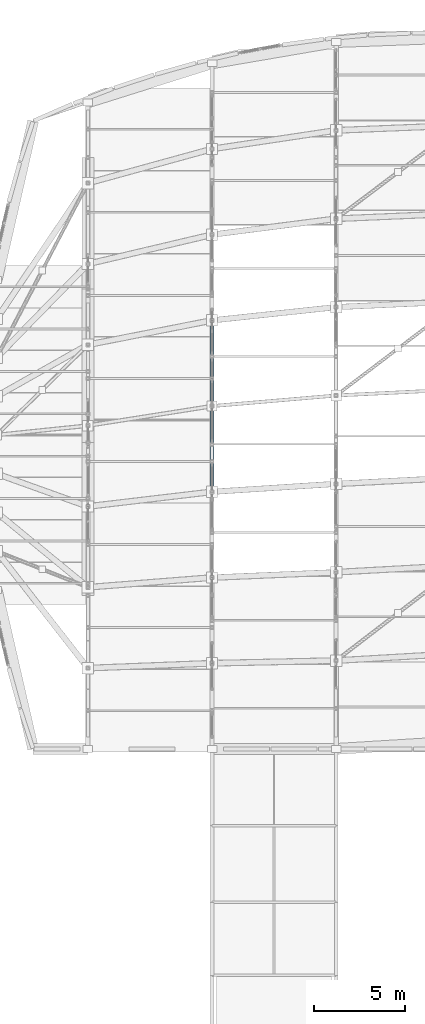
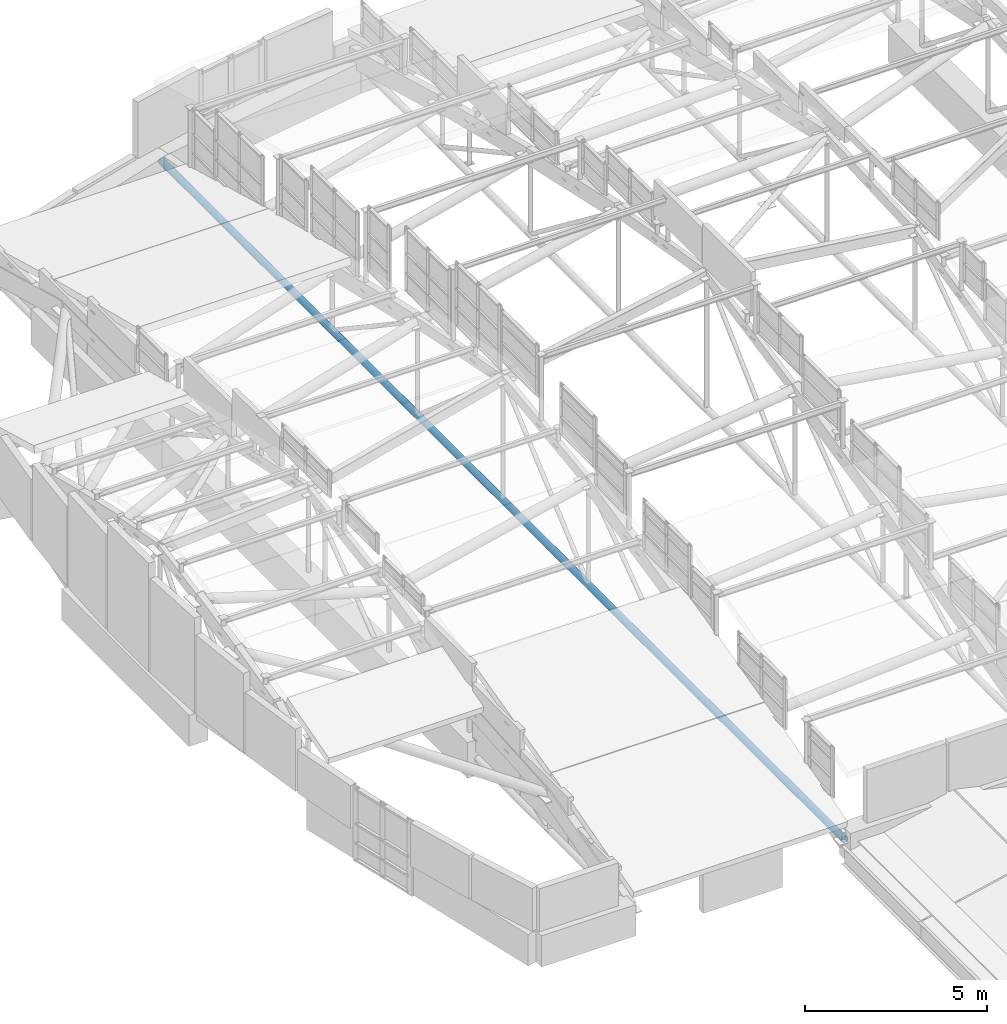
# One storey, part 84 of 188: 1 member.
"""IFC4 building model written with IfcOpenShell, lengths in metres."""

from ifc_helpers import new_model, si_unit, direction, frame, origin, origin_2d, place, context, subcontext, project, spatial, hollow_circle, extrude, material, material_profile, profile_set, type_object, element, save


model = new_model("IFC4")

# Units and contexts
model_context = context("Model", 3, precision=1e-05, world=origin(), true_north=direction((0.0, 1.0)))
body_context = subcontext(model_context, "Body", "Model", "MODEL_VIEW")
ifc_project = project(units=[si_unit("LENGTHUNIT", "METRE"), si_unit("AREAUNIT", "SQUARE_METRE"), si_unit("VOLUMEUNIT", "CUBIC_METRE"), si_unit("PLANEANGLEUNIT", "RADIAN"), si_unit("MASSUNIT", "GRAM", prefix="KILO")], contexts=[model_context])

# Site, building, storey
site_placement = place(None, origin())
site = spatial("IfcSite", under=ifc_project, at=site_placement, CompositionType="ELEMENT")
building_placement = place(site_placement, origin())
building = spatial("IfcBuilding", under=site, at=building_placement, Name="Kisaragi Civic Commons", CompositionType="ELEMENT")
storey_placement = place(building_placement, frame((0.0, 0.0, 9.60009765625)))
storey = spatial("IfcBuildingStorey", under=building, at=storey_placement, Name="L02", CompositionType="ELEMENT", Elevation=9.60009765625)

# Member
ifc_material = material(Name="Steel SN490 (SN490B)", Category="steel")
ifc_material_profile = material_profile(ifc_material, hollow_circle(Radius=0.108154296875, WallThickness=0.008056640625, at=origin_2d()), Name="CHS-216.3x8.0", Category="steel")
ifc_profile_set = profile_set([ifc_material_profile], Name="Steel SN490 (SN490B)")
member_type = type_object("IfcMemberType", Name="ST-T2", PredefinedType="STRUT", material=ifc_profile_set)
member_placement = place(storey_placement, frame((13.60009765625, 79.199951171875, -0.69921875), z_axis=(0.0, 1.0, 0.0), x_axis=(-1.0, 0.0, 0.0)))
element("IfcMember", 1, at=member_placement, inside=storey, type_object=member_type, Name="V2 arch tension tie ST-T2 30", PredefinedType="STRUT", context=body_context, shape_type="SweptSolid", body=[
    extrude(hollow_circle(Radius=0.108154296875, WallThickness=0.008056640625, at=origin_2d()), origin(), (0.0, 0.0, 1.0), 37.5703125),
])

save(model, "model.ifc")
